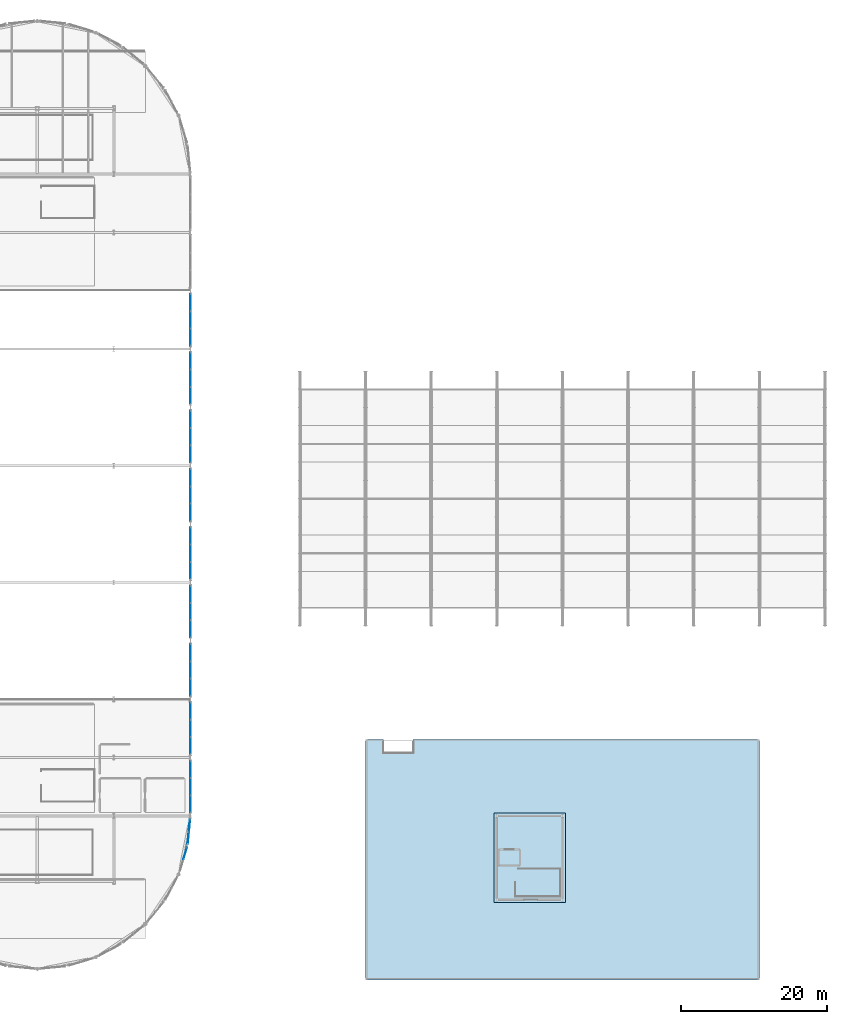
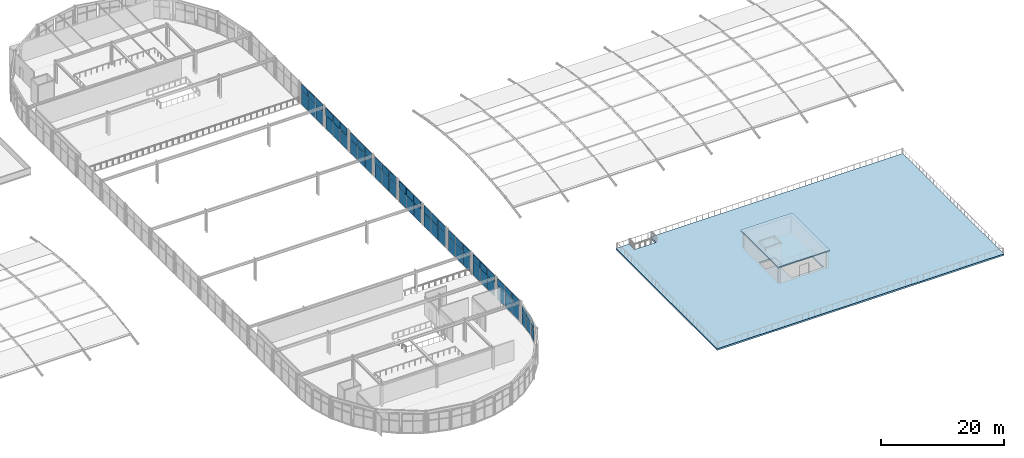
# One storey, part 56 of 105: 60 plates, 2 slabs, 11 elements without a shape of their own.
"""IFC4 building model written with IfcOpenShell, lengths in metres."""

from ifc_helpers import new_model, si_unit, direction, frame, origin, origin_2d, place, context, subcontext, project, spatial, polyline, rectangle, outline, extrude, material, layer, layer_set, type_object, element, aggregate, save


model = new_model("IFC4")

# Units and contexts
model_context = context("Model", 3, precision=1e-05, world=origin(), true_north=direction((0.0, 1.0)))
body_context = subcontext(model_context, "Body", "Model", "MODEL_VIEW")
ifc_project = project(units=[si_unit("LENGTHUNIT", "METRE"), si_unit("AREAUNIT", "SQUARE_METRE"), si_unit("VOLUMEUNIT", "CUBIC_METRE"), si_unit("PLANEANGLEUNIT", "RADIAN"), si_unit("MASSUNIT", "GRAM", prefix="KILO")], contexts=[model_context])

# Site, building, storey
site_placement = place(None, origin())
site = spatial("IfcSite", under=ifc_project, at=site_placement, CompositionType="ELEMENT")
building_placement = place(site_placement, origin())
building = spatial("IfcBuilding", under=site, at=building_placement, Name="Marlcrest Central Station", CompositionType="ELEMENT")
storey_placement = place(building_placement, frame((0.0, 0.0, 15.0)))
storey = spatial("IfcBuildingStorey", under=building, at=storey_placement, Name="L03", CompositionType="ELEMENT", Elevation=15.0)

# Curtain wall, plate
ifc_material_1 = material(Name="Anodised aluminium and hurricane laminated glass", Category="aluminium")
ifc_layer_1 = layer(ifc_material_1, 0.219970703125, Name="CW-U1")
ifc_layer_set_1 = layer_set([ifc_layer_1], Name="Anodised aluminium and hurricane laminated glass")
curtain_wall_type = type_object("IfcCurtainWallType", Name="CW-U1", PredefinedType="USERDEFINED", material=ifc_layer_set_1)
curtain_wall_1_placement = place(storey_placement, origin())
curtain_wall_1 = element("IfcCurtainWall", 1, at=curtain_wall_1_placement, inside=storey, type_object=curtain_wall_type, Name="cw-L03-0055", ObjectType="UNITISED_CURTAIN_WALL", PredefinedType="USERDEFINED")
ifc_material_2 = material(Name="Hurricane laminated solar-control glass", Category="glass")
ifc_layer_2 = layer(ifc_material_2, 0.031982421875, Name="CP-01")
ifc_layer_set_2 = layer_set([ifc_layer_2], Name="Hurricane laminated solar-control glass")
plate_type_1 = type_object("IfcPlateType", Name="CP-01", PredefinedType="CURTAIN_PANEL", material=ifc_layer_set_2)
plate_1_placement = place(storey_placement, frame((128.28173828125, 17.3671875, 0.079833984375), z_axis=(0.0, 0.0, 1.0), x_axis=(-0.290318080597, -0.956930202302, 0.0)))
plate_1 = element("IfcPlate", 2, at=plate_1_placement, type_object=plate_type_1, Name="cw-L03-0055-cp-lo-0", PredefinedType="CURTAIN_PANEL", context=body_context, shape_type="SweptSolid", body=[
    extrude(rectangle(XDim=1.67724609375, YDim=0.031982421875, at=origin_2d()), origin(), (0.0, 0.0, 1.0), 2.35009765625),
])

# Curtain wall, plates
curtain_wall_2_placement = place(storey_placement, origin())
curtain_wall_2 = element("IfcCurtainWall", 3, at=curtain_wall_2_placement, inside=storey, type_object=curtain_wall_type, Name="cw-L03-0056", ObjectType="UNITISED_CURTAIN_WALL", PredefinedType="USERDEFINED")
plate_2_placement = place(storey_placement, frame((128.8671875, 21.153076171875, 0.079833984375), z_axis=(0.0, 0.0, 1.0), x_axis=(-0.098138724349, -0.995172744192, 0.0)))
plate_2 = element("IfcPlate", 4, at=plate_2_placement, type_object=plate_type_1, Name="cw-L03-0056-cp-lo-0", PredefinedType="CURTAIN_PANEL", context=body_context, shape_type="SweptSolid", body=[
    extrude(rectangle(XDim=1.629150390625, YDim=0.031982421875, at=origin_2d()), origin(), (0.0, 0.0, 1.0), 2.35009765625),
])
plate_3_placement = place(storey_placement, frame((128.699951171875, 19.456298828125, 0.079833984375), z_axis=(0.0, 0.0, 1.0), x_axis=(-0.098138724349, -0.995172744192, 0.0)))
plate_3 = element("IfcPlate", 5, at=plate_3_placement, type_object=plate_type_1, Name="cw-L03-0056-cp-lo-1", PredefinedType="CURTAIN_PANEL", context=body_context, shape_type="SweptSolid", body=[
    extrude(rectangle(XDim=1.629150390625, YDim=0.031982421875, at=origin_2d()), origin(), (0.0, 0.0, 1.0), 2.35009765625),
])

curtain_wall_3_placement = place(storey_placement, origin())
curtain_wall_3 = element("IfcCurtainWall", 6, at=curtain_wall_3_placement, inside=storey, type_object=curtain_wall_type, Name="cw-L03-0102", ObjectType="UNITISED_CURTAIN_WALL", PredefinedType="USERDEFINED")
plate_4_placement = place(storey_placement, frame((129.0, 28.86669921875, 0.080078125), z_axis=(0.0, 0.0, 1.0), x_axis=(0.0, -1.0, 0.0)))
plate_4 = element("IfcPlate", 7, at=plate_4_placement, type_object=plate_type_1, Name="cw-L03-0102-cp-lo-0", PredefinedType="CURTAIN_PANEL", context=body_context, shape_type="SweptSolid", body=[
    extrude(rectangle(XDim=2.290771484375, YDim=0.031982421875, at=origin_2d()), origin(), (0.0, 0.0, 1.0), 2.7080078125),
])
plate_5_placement = place(storey_placement, frame((129.0, 26.5, 0.080078125), z_axis=(0.0, 0.0, 1.0), x_axis=(0.0, -1.0, 0.0)))
plate_5 = element("IfcPlate", 8, at=plate_5_placement, type_object=plate_type_1, Name="cw-L03-0102-cp-lo-1", PredefinedType="CURTAIN_PANEL", context=body_context, shape_type="SweptSolid", body=[
    extrude(rectangle(XDim=2.290771484375, YDim=0.031982421875, at=origin_2d()), origin(), (0.0, 0.0, 1.0), 2.7080078125),
])
plate_6_placement = place(storey_placement, frame((129.0, 24.13330078125, 0.080078125), z_axis=(0.0, 0.0, 1.0), x_axis=(0.0, -1.0, 0.0)))
plate_6 = element("IfcPlate", 9, at=plate_6_placement, type_object=plate_type_1, Name="cw-L03-0102-cp-lo-2", PredefinedType="CURTAIN_PANEL", context=body_context, shape_type="SweptSolid", body=[
    extrude(rectangle(XDim=2.290771484375, YDim=0.031982421875, at=origin_2d()), origin(), (0.0, 0.0, 1.0), 2.7080078125),
])

curtain_wall_4_placement = place(storey_placement, origin())
curtain_wall_4 = element("IfcCurtainWall", 10, at=curtain_wall_4_placement, inside=storey, type_object=curtain_wall_type, Name="cw-L03-0106", ObjectType="UNITISED_CURTAIN_WALL", PredefinedType="USERDEFINED")
plate_7_placement = place(storey_placement, frame((129.0, 36.86669921875, 0.080078125), z_axis=(0.0, 0.0, 1.0), x_axis=(0.0, -1.0, 0.0)))
plate_7 = element("IfcPlate", 11, at=plate_7_placement, type_object=plate_type_1, Name="cw-L03-0106-cp-lo-0", PredefinedType="CURTAIN_PANEL", context=body_context, shape_type="SweptSolid", body=[
    extrude(rectangle(XDim=2.290771484375, YDim=0.031982421875, at=origin_2d()), origin(), (0.0, 0.0, 1.0), 2.7080078125),
])
plate_8_placement = place(storey_placement, frame((129.0, 34.5, 0.080078125), z_axis=(0.0, 0.0, 1.0), x_axis=(0.0, -1.0, 0.0)))
plate_8 = element("IfcPlate", 12, at=plate_8_placement, type_object=plate_type_1, Name="cw-L03-0106-cp-lo-1", PredefinedType="CURTAIN_PANEL", context=body_context, shape_type="SweptSolid", body=[
    extrude(rectangle(XDim=2.290771484375, YDim=0.031982421875, at=origin_2d()), origin(), (0.0, 0.0, 1.0), 2.7080078125),
])
plate_9_placement = place(storey_placement, frame((129.0, 32.13330078125, 0.080078125), z_axis=(0.0, 0.0, 1.0), x_axis=(0.0, -1.0, 0.0)))
plate_9 = element("IfcPlate", 13, at=plate_9_placement, type_object=plate_type_1, Name="cw-L03-0106-cp-lo-2", PredefinedType="CURTAIN_PANEL", context=body_context, shape_type="SweptSolid", body=[
    extrude(rectangle(XDim=2.290771484375, YDim=0.031982421875, at=origin_2d()), origin(), (0.0, 0.0, 1.0), 2.7080078125),
])

curtain_wall_5_placement = place(storey_placement, origin())
curtain_wall_5 = element("IfcCurtainWall", 14, at=curtain_wall_5_placement, inside=storey, type_object=curtain_wall_type, Name="cw-L03-0110", ObjectType="UNITISED_CURTAIN_WALL", PredefinedType="USERDEFINED")
plate_10_placement = place(storey_placement, frame((129.0, 44.86669921875, 0.080078125), z_axis=(0.0, 0.0, 1.0), x_axis=(0.0, -1.0, 0.0)))
plate_10 = element("IfcPlate", 15, at=plate_10_placement, type_object=plate_type_1, Name="cw-L03-0110-cp-lo-0", PredefinedType="CURTAIN_PANEL", context=body_context, shape_type="SweptSolid", body=[
    extrude(rectangle(XDim=2.290771484375, YDim=0.031982421875, at=origin_2d()), origin(), (0.0, 0.0, 1.0), 2.7080078125),
])
plate_11_placement = place(storey_placement, frame((129.0, 42.5, 0.080078125), z_axis=(0.0, 0.0, 1.0), x_axis=(0.0, -1.0, 0.0)))
plate_11 = element("IfcPlate", 16, at=plate_11_placement, type_object=plate_type_1, Name="cw-L03-0110-cp-lo-1", PredefinedType="CURTAIN_PANEL", context=body_context, shape_type="SweptSolid", body=[
    extrude(rectangle(XDim=2.290771484375, YDim=0.031982421875, at=origin_2d()), origin(), (0.0, 0.0, 1.0), 2.7080078125),
])
plate_12_placement = place(storey_placement, frame((129.0, 40.13330078125, 0.080078125), z_axis=(0.0, 0.0, 1.0), x_axis=(0.0, -1.0, 0.0)))
plate_12 = element("IfcPlate", 17, at=plate_12_placement, type_object=plate_type_1, Name="cw-L03-0110-cp-lo-2", PredefinedType="CURTAIN_PANEL", context=body_context, shape_type="SweptSolid", body=[
    extrude(rectangle(XDim=2.290771484375, YDim=0.031982421875, at=origin_2d()), origin(), (0.0, 0.0, 1.0), 2.7080078125),
])

curtain_wall_6_placement = place(storey_placement, origin())
curtain_wall_6 = element("IfcCurtainWall", 18, at=curtain_wall_6_placement, inside=storey, type_object=curtain_wall_type, Name="cw-L03-0114", ObjectType="UNITISED_CURTAIN_WALL", PredefinedType="USERDEFINED")
plate_13_placement = place(storey_placement, frame((129.0, 52.86669921875, 0.080078125), z_axis=(0.0, 0.0, 1.0), x_axis=(0.0, -1.0, 0.0)))
plate_13 = element("IfcPlate", 19, at=plate_13_placement, type_object=plate_type_1, Name="cw-L03-0114-cp-lo-0", PredefinedType="CURTAIN_PANEL", context=body_context, shape_type="SweptSolid", body=[
    extrude(rectangle(XDim=2.290771484375, YDim=0.031982421875, at=origin_2d()), origin(), (0.0, 0.0, 1.0), 2.7080078125),
])
plate_14_placement = place(storey_placement, frame((129.0, 50.5, 0.080078125), z_axis=(0.0, 0.0, 1.0), x_axis=(0.0, -1.0, 0.0)))
plate_14 = element("IfcPlate", 20, at=plate_14_placement, type_object=plate_type_1, Name="cw-L03-0114-cp-lo-1", PredefinedType="CURTAIN_PANEL", context=body_context, shape_type="SweptSolid", body=[
    extrude(rectangle(XDim=2.290771484375, YDim=0.031982421875, at=origin_2d()), origin(), (0.0, 0.0, 1.0), 2.7080078125),
])
plate_15_placement = place(storey_placement, frame((129.0, 48.13330078125, 0.080078125), z_axis=(0.0, 0.0, 1.0), x_axis=(0.0, -1.0, 0.0)))
plate_15 = element("IfcPlate", 21, at=plate_15_placement, type_object=plate_type_1, Name="cw-L03-0114-cp-lo-2", PredefinedType="CURTAIN_PANEL", context=body_context, shape_type="SweptSolid", body=[
    extrude(rectangle(XDim=2.290771484375, YDim=0.031982421875, at=origin_2d()), origin(), (0.0, 0.0, 1.0), 2.7080078125),
])

curtain_wall_7_placement = place(storey_placement, origin())
curtain_wall_7 = element("IfcCurtainWall", 22, at=curtain_wall_7_placement, inside=storey, type_object=curtain_wall_type, Name="cw-L03-0118", ObjectType="UNITISED_CURTAIN_WALL", PredefinedType="USERDEFINED")
plate_16_placement = place(storey_placement, frame((129.0, 60.86669921875, 0.080078125), z_axis=(0.0, 0.0, 1.0), x_axis=(0.0, -1.0, 0.0)))
plate_16 = element("IfcPlate", 23, at=plate_16_placement, type_object=plate_type_1, Name="cw-L03-0118-cp-lo-0", PredefinedType="CURTAIN_PANEL", context=body_context, shape_type="SweptSolid", body=[
    extrude(rectangle(XDim=2.290771484375, YDim=0.031982421875, at=origin_2d()), origin(), (0.0, 0.0, 1.0), 2.7080078125),
])
plate_17_placement = place(storey_placement, frame((129.0, 58.5, 0.080078125), z_axis=(0.0, 0.0, 1.0), x_axis=(0.0, -1.0, 0.0)))
plate_17 = element("IfcPlate", 24, at=plate_17_placement, type_object=plate_type_1, Name="cw-L03-0118-cp-lo-1", PredefinedType="CURTAIN_PANEL", context=body_context, shape_type="SweptSolid", body=[
    extrude(rectangle(XDim=2.290771484375, YDim=0.031982421875, at=origin_2d()), origin(), (0.0, 0.0, 1.0), 2.7080078125),
])
plate_18_placement = place(storey_placement, frame((129.0, 56.13330078125, 0.080078125), z_axis=(0.0, 0.0, 1.0), x_axis=(0.0, -1.0, 0.0)))
plate_18 = element("IfcPlate", 25, at=plate_18_placement, type_object=plate_type_1, Name="cw-L03-0118-cp-lo-2", PredefinedType="CURTAIN_PANEL", context=body_context, shape_type="SweptSolid", body=[
    extrude(rectangle(XDim=2.290771484375, YDim=0.031982421875, at=origin_2d()), origin(), (0.0, 0.0, 1.0), 2.7080078125),
])

curtain_wall_8_placement = place(storey_placement, origin())
curtain_wall_8 = element("IfcCurtainWall", 26, at=curtain_wall_8_placement, inside=storey, type_object=curtain_wall_type, Name="cw-L03-0122", ObjectType="UNITISED_CURTAIN_WALL", PredefinedType="USERDEFINED")
plate_19_placement = place(storey_placement, frame((129.0, 68.86669921875, 0.080078125), z_axis=(0.0, 0.0, 1.0), x_axis=(0.0, -1.0, 0.0)))
plate_19 = element("IfcPlate", 27, at=plate_19_placement, type_object=plate_type_1, Name="cw-L03-0122-cp-lo-0", PredefinedType="CURTAIN_PANEL", context=body_context, shape_type="SweptSolid", body=[
    extrude(rectangle(XDim=2.290771484375, YDim=0.031982421875, at=origin_2d()), origin(), (0.0, 0.0, 1.0), 2.7080078125),
])
plate_20_placement = place(storey_placement, frame((129.0, 66.5, 0.080078125), z_axis=(0.0, 0.0, 1.0), x_axis=(0.0, -1.0, 0.0)))
plate_20 = element("IfcPlate", 28, at=plate_20_placement, type_object=plate_type_1, Name="cw-L03-0122-cp-lo-1", PredefinedType="CURTAIN_PANEL", context=body_context, shape_type="SweptSolid", body=[
    extrude(rectangle(XDim=2.290771484375, YDim=0.031982421875, at=origin_2d()), origin(), (0.0, 0.0, 1.0), 2.7080078125),
])
plate_21_placement = place(storey_placement, frame((129.0, 64.13330078125, 0.080078125), z_axis=(0.0, 0.0, 1.0), x_axis=(0.0, -1.0, 0.0)))
plate_21 = element("IfcPlate", 29, at=plate_21_placement, type_object=plate_type_1, Name="cw-L03-0122-cp-lo-2", PredefinedType="CURTAIN_PANEL", context=body_context, shape_type="SweptSolid", body=[
    extrude(rectangle(XDim=2.290771484375, YDim=0.031982421875, at=origin_2d()), origin(), (0.0, 0.0, 1.0), 2.7080078125),
])

curtain_wall_9_placement = place(storey_placement, origin())
curtain_wall_9 = element("IfcCurtainWall", 30, at=curtain_wall_9_placement, inside=storey, type_object=curtain_wall_type, Name="cw-L03-0126", ObjectType="UNITISED_CURTAIN_WALL", PredefinedType="USERDEFINED")
plate_22_placement = place(storey_placement, frame((129.0, 76.86669921875, 0.080078125), z_axis=(0.0, 0.0, 1.0), x_axis=(0.0, -1.0, 0.0)))
plate_22 = element("IfcPlate", 31, at=plate_22_placement, type_object=plate_type_1, Name="cw-L03-0126-cp-lo-0", PredefinedType="CURTAIN_PANEL", context=body_context, shape_type="SweptSolid", body=[
    extrude(rectangle(XDim=2.290771484375, YDim=0.031982421875, at=origin_2d()), origin(), (0.0, 0.0, 1.0), 2.7080078125),
])
plate_23_placement = place(storey_placement, frame((129.0, 74.5, 0.080078125), z_axis=(0.0, 0.0, 1.0), x_axis=(0.0, -1.0, 0.0)))
plate_23 = element("IfcPlate", 32, at=plate_23_placement, type_object=plate_type_1, Name="cw-L03-0126-cp-lo-1", PredefinedType="CURTAIN_PANEL", context=body_context, shape_type="SweptSolid", body=[
    extrude(rectangle(XDim=2.290771484375, YDim=0.031982421875, at=origin_2d()), origin(), (0.0, 0.0, 1.0), 2.7080078125),
])
plate_24_placement = place(storey_placement, frame((129.0, 72.13330078125, 0.080078125), z_axis=(0.0, 0.0, 1.0), x_axis=(0.0, -1.0, 0.0)))
plate_24 = element("IfcPlate", 33, at=plate_24_placement, type_object=plate_type_1, Name="cw-L03-0126-cp-lo-2", PredefinedType="CURTAIN_PANEL", context=body_context, shape_type="SweptSolid", body=[
    extrude(rectangle(XDim=2.290771484375, YDim=0.031982421875, at=origin_2d()), origin(), (0.0, 0.0, 1.0), 2.7080078125),
])

curtain_wall_10_placement = place(storey_placement, origin())
curtain_wall_10 = element("IfcCurtainWall", 34, at=curtain_wall_10_placement, inside=storey, type_object=curtain_wall_type, Name="cw-L03-0130", ObjectType="UNITISED_CURTAIN_WALL", PredefinedType="USERDEFINED")
plate_25_placement = place(storey_placement, frame((129.0, 84.86669921875, 0.080078125), z_axis=(0.0, 0.0, 1.0), x_axis=(0.0, -1.0, 0.0)))
plate_25 = element("IfcPlate", 35, at=plate_25_placement, type_object=plate_type_1, Name="cw-L03-0130-cp-lo-0", PredefinedType="CURTAIN_PANEL", context=body_context, shape_type="SweptSolid", body=[
    extrude(rectangle(XDim=2.290771484375, YDim=0.031982421875, at=origin_2d()), origin(), (0.0, 0.0, 1.0), 2.7080078125),
])
plate_26_placement = place(storey_placement, frame((129.0, 82.5, 0.080078125), z_axis=(0.0, 0.0, 1.0), x_axis=(0.0, -1.0, 0.0)))
plate_26 = element("IfcPlate", 36, at=plate_26_placement, type_object=plate_type_1, Name="cw-L03-0130-cp-lo-1", PredefinedType="CURTAIN_PANEL", context=body_context, shape_type="SweptSolid", body=[
    extrude(rectangle(XDim=2.290771484375, YDim=0.031982421875, at=origin_2d()), origin(), (0.0, 0.0, 1.0), 2.7080078125),
])
plate_27_placement = place(storey_placement, frame((129.0, 80.13330078125, 0.080078125), z_axis=(0.0, 0.0, 1.0), x_axis=(0.0, -1.0, 0.0)))
plate_27 = element("IfcPlate", 37, at=plate_27_placement, type_object=plate_type_1, Name="cw-L03-0130-cp-lo-2", PredefinedType="CURTAIN_PANEL", context=body_context, shape_type="SweptSolid", body=[
    extrude(rectangle(XDim=2.290771484375, YDim=0.031982421875, at=origin_2d()), origin(), (0.0, 0.0, 1.0), 2.7080078125),
])

curtain_wall_11_placement = place(storey_placement, origin())
curtain_wall_11 = element("IfcCurtainWall", 38, at=curtain_wall_11_placement, inside=storey, type_object=curtain_wall_type, Name="cw-L03-0134", ObjectType="UNITISED_CURTAIN_WALL", PredefinedType="USERDEFINED")
plate_28_placement = place(storey_placement, frame((129.0, 92.86669921875, 0.080078125), z_axis=(0.0, 0.0, 1.0), x_axis=(0.0, -1.0, 0.0)))
plate_28 = element("IfcPlate", 39, at=plate_28_placement, type_object=plate_type_1, Name="cw-L03-0134-cp-lo-0", PredefinedType="CURTAIN_PANEL", context=body_context, shape_type="SweptSolid", body=[
    extrude(rectangle(XDim=2.290771484375, YDim=0.031982421875, at=origin_2d()), origin(), (0.0, 0.0, 1.0), 2.7080078125),
])
plate_29_placement = place(storey_placement, frame((129.0, 90.5, 0.080078125), z_axis=(0.0, 0.0, 1.0), x_axis=(0.0, -1.0, 0.0)))
plate_29 = element("IfcPlate", 40, at=plate_29_placement, type_object=plate_type_1, Name="cw-L03-0134-cp-lo-1", PredefinedType="CURTAIN_PANEL", context=body_context, shape_type="SweptSolid", body=[
    extrude(rectangle(XDim=2.290771484375, YDim=0.031982421875, at=origin_2d()), origin(), (0.0, 0.0, 1.0), 2.7080078125),
])
plate_30_placement = place(storey_placement, frame((129.0, 88.13330078125, 0.080078125), z_axis=(0.0, 0.0, 1.0), x_axis=(0.0, -1.0, 0.0)))
plate_30 = element("IfcPlate", 41, at=plate_30_placement, type_object=plate_type_1, Name="cw-L03-0134-cp-lo-2", PredefinedType="CURTAIN_PANEL", context=body_context, shape_type="SweptSolid", body=[
    extrude(rectangle(XDim=2.290771484375, YDim=0.031982421875, at=origin_2d()), origin(), (0.0, 0.0, 1.0), 2.7080078125),
])

# Plate
ifc_material_3 = material(Name="Insulated bronze-anodised aluminium spandrel panel", Category="aluminium")
ifc_layer_3 = layer(ifc_material_3, 0.06005859375, Name="CP-04")
ifc_layer_set_3 = layer_set([ifc_layer_3], Name="Insulated bronze-anodised aluminium spandrel panel")
plate_type_2 = type_object("IfcPlateType", Name="CP-04", PredefinedType="CURTAIN_PANEL", material=ifc_layer_set_3)
plate_31_placement = place(storey_placement, frame((129.0, 28.86669921875, 2.8681640625), z_axis=(0.0, 0.0, 1.0), x_axis=(0.0, -1.0, 0.0)))
plate_31 = element("IfcPlate", 42, at=plate_31_placement, type_object=plate_type_2, Name="cw-L03-0102-cp-hi-0", PredefinedType="CURTAIN_PANEL", context=body_context, shape_type="SweptSolid", body=[
    extrude(rectangle(XDim=2.290771484375, YDim=0.06005859375, at=origin_2d()), origin(), (0.0, 0.0, 1.0), 1.402099609375),
])

plate_32_placement = place(storey_placement, frame((129.0, 26.5, 2.8681640625), z_axis=(0.0, 0.0, 1.0), x_axis=(0.0, -1.0, 0.0)))
plate_32 = element("IfcPlate", 43, at=plate_32_placement, type_object=plate_type_2, Name="cw-L03-0102-cp-hi-1", PredefinedType="CURTAIN_PANEL", context=body_context, shape_type="SweptSolid", body=[
    extrude(rectangle(XDim=2.290771484375, YDim=0.06005859375, at=origin_2d()), origin(), (0.0, 0.0, 1.0), 1.402099609375),
])

plate_33_placement = place(storey_placement, frame((129.0, 24.13330078125, 2.8681640625), z_axis=(0.0, 0.0, 1.0), x_axis=(0.0, -1.0, 0.0)))
plate_33 = element("IfcPlate", 44, at=plate_33_placement, type_object=plate_type_2, Name="cw-L03-0102-cp-hi-2", PredefinedType="CURTAIN_PANEL", context=body_context, shape_type="SweptSolid", body=[
    extrude(rectangle(XDim=2.290771484375, YDim=0.06005859375, at=origin_2d()), origin(), (0.0, 0.0, 1.0), 1.402099609375),
])

aggregate(curtain_wall_3, [plate_4, plate_31, plate_5, plate_32, plate_6, plate_33])

plate_34_placement = place(storey_placement, frame((129.0, 52.86669921875, 2.8681640625), z_axis=(0.0, 0.0, 1.0), x_axis=(0.0, -1.0, 0.0)))
plate_34 = element("IfcPlate", 45, at=plate_34_placement, type_object=plate_type_2, Name="cw-L03-0114-cp-hi-0", PredefinedType="CURTAIN_PANEL", context=body_context, shape_type="SweptSolid", body=[
    extrude(rectangle(XDim=2.290771484375, YDim=0.06005859375, at=origin_2d()), origin(), (0.0, 0.0, 1.0), 1.402099609375),
])

plate_35_placement = place(storey_placement, frame((129.0, 50.5, 2.8681640625), z_axis=(0.0, 0.0, 1.0), x_axis=(0.0, -1.0, 0.0)))
plate_35 = element("IfcPlate", 46, at=plate_35_placement, type_object=plate_type_2, Name="cw-L03-0114-cp-hi-1", PredefinedType="CURTAIN_PANEL", context=body_context, shape_type="SweptSolid", body=[
    extrude(rectangle(XDim=2.290771484375, YDim=0.06005859375, at=origin_2d()), origin(), (0.0, 0.0, 1.0), 1.402099609375),
])

plate_36_placement = place(storey_placement, frame((129.0, 48.13330078125, 2.8681640625), z_axis=(0.0, 0.0, 1.0), x_axis=(0.0, -1.0, 0.0)))
plate_36 = element("IfcPlate", 47, at=plate_36_placement, type_object=plate_type_2, Name="cw-L03-0114-cp-hi-2", PredefinedType="CURTAIN_PANEL", context=body_context, shape_type="SweptSolid", body=[
    extrude(rectangle(XDim=2.290771484375, YDim=0.06005859375, at=origin_2d()), origin(), (0.0, 0.0, 1.0), 1.402099609375),
])

aggregate(curtain_wall_6, [plate_13, plate_34, plate_14, plate_35, plate_15, plate_36])

plate_37_placement = place(storey_placement, frame((129.0, 76.86669921875, 2.8681640625), z_axis=(0.0, 0.0, 1.0), x_axis=(0.0, -1.0, 0.0)))
plate_37 = element("IfcPlate", 48, at=plate_37_placement, type_object=plate_type_2, Name="cw-L03-0126-cp-hi-0", PredefinedType="CURTAIN_PANEL", context=body_context, shape_type="SweptSolid", body=[
    extrude(rectangle(XDim=2.290771484375, YDim=0.06005859375, at=origin_2d()), origin(), (0.0, 0.0, 1.0), 1.402099609375),
])

plate_38_placement = place(storey_placement, frame((129.0, 74.5, 2.8681640625), z_axis=(0.0, 0.0, 1.0), x_axis=(0.0, -1.0, 0.0)))
plate_38 = element("IfcPlate", 49, at=plate_38_placement, type_object=plate_type_2, Name="cw-L03-0126-cp-hi-1", PredefinedType="CURTAIN_PANEL", context=body_context, shape_type="SweptSolid", body=[
    extrude(rectangle(XDim=2.290771484375, YDim=0.06005859375, at=origin_2d()), origin(), (0.0, 0.0, 1.0), 1.402099609375),
])

plate_39_placement = place(storey_placement, frame((129.0, 72.13330078125, 2.8681640625), z_axis=(0.0, 0.0, 1.0), x_axis=(0.0, -1.0, 0.0)))
plate_39 = element("IfcPlate", 50, at=plate_39_placement, type_object=plate_type_2, Name="cw-L03-0126-cp-hi-2", PredefinedType="CURTAIN_PANEL", context=body_context, shape_type="SweptSolid", body=[
    extrude(rectangle(XDim=2.290771484375, YDim=0.06005859375, at=origin_2d()), origin(), (0.0, 0.0, 1.0), 1.402099609375),
])

aggregate(curtain_wall_9, [plate_22, plate_37, plate_23, plate_38, plate_24, plate_39])

ifc_layer_4 = layer(ifc_material_3, 0.050048828125, Name="CP-05")
ifc_layer_set_4 = layer_set([ifc_layer_4], Name="Insulated bronze-anodised aluminium spandrel panel")
plate_type_3 = type_object("IfcPlateType", Name="CP-05", PredefinedType="CURTAIN_PANEL", material=ifc_layer_set_4)
plate_40_placement = place(storey_placement, frame((128.28173828125, 17.3671875, 2.510009765625), z_axis=(0.0, 0.0, 1.0), x_axis=(-0.290318080597, -0.956930202302, 0.0)))
plate_40 = element("IfcPlate", 51, at=plate_40_placement, type_object=plate_type_3, Name="cw-L03-0055-cp-hi-0", PredefinedType="CURTAIN_PANEL", context=body_context, shape_type="SweptSolid", body=[
    extrude(rectangle(XDim=1.67724609375, YDim=0.050048828125, at=origin_2d()), origin(), (0.0, 0.0, 1.0), 1.2099609375),
])

aggregate(curtain_wall_1, [plate_1, plate_40])

ifc_material_4 = material(Name="Insulated acoustic spandrel panel")
ifc_layer_5 = layer(ifc_material_4, 0.074951171875, Name="CP-06")
ifc_layer_set_5 = layer_set([ifc_layer_5], Name="Insulated acoustic spandrel panel")
plate_type_4 = type_object("IfcPlateType", Name="CP-06", PredefinedType="CURTAIN_PANEL", material=ifc_layer_set_5)
plate_41_placement = place(storey_placement, frame((128.8671875, 21.153076171875, 2.510009765625), z_axis=(0.0, 0.0, 1.0), x_axis=(-0.098138724349, -0.995172744192, 0.0)))
plate_41 = element("IfcPlate", 52, at=plate_41_placement, type_object=plate_type_4, Name="cw-L03-0056-cp-hi-0", PredefinedType="CURTAIN_PANEL", context=body_context, shape_type="SweptSolid", body=[
    extrude(rectangle(XDim=1.629150390625, YDim=0.074951171875, at=origin_2d()), origin(), (0.0, 0.0, 1.0), 1.2099609375),
])

plate_42_placement = place(storey_placement, frame((128.699951171875, 19.456298828125, 2.510009765625), z_axis=(0.0, 0.0, 1.0), x_axis=(-0.098138724349, -0.995172744192, 0.0)))
plate_42 = element("IfcPlate", 53, at=plate_42_placement, type_object=plate_type_4, Name="cw-L03-0056-cp-hi-1", PredefinedType="CURTAIN_PANEL", context=body_context, shape_type="SweptSolid", body=[
    extrude(rectangle(XDim=1.629150390625, YDim=0.074951171875, at=origin_2d()), origin(), (0.0, 0.0, 1.0), 1.2099609375),
])

aggregate(curtain_wall_2, [plate_2, plate_41, plate_3, plate_42])

plate_43_placement = place(storey_placement, frame((129.0, 44.86669921875, 2.8681640625), z_axis=(0.0, 0.0, 1.0), x_axis=(0.0, -1.0, 0.0)))
plate_43 = element("IfcPlate", 54, at=plate_43_placement, type_object=plate_type_4, Name="cw-L03-0110-cp-hi-0", PredefinedType="CURTAIN_PANEL", context=body_context, shape_type="SweptSolid", body=[
    extrude(rectangle(XDim=2.290771484375, YDim=0.074951171875, at=origin_2d()), origin(), (0.0, 0.0, 1.0), 1.402099609375),
])

plate_44_placement = place(storey_placement, frame((129.0, 42.5, 2.8681640625), z_axis=(0.0, 0.0, 1.0), x_axis=(0.0, -1.0, 0.0)))
plate_44 = element("IfcPlate", 55, at=plate_44_placement, type_object=plate_type_4, Name="cw-L03-0110-cp-hi-1", PredefinedType="CURTAIN_PANEL", context=body_context, shape_type="SweptSolid", body=[
    extrude(rectangle(XDim=2.290771484375, YDim=0.074951171875, at=origin_2d()), origin(), (0.0, 0.0, 1.0), 1.402099609375),
])

plate_45_placement = place(storey_placement, frame((129.0, 40.13330078125, 2.8681640625), z_axis=(0.0, 0.0, 1.0), x_axis=(0.0, -1.0, 0.0)))
plate_45 = element("IfcPlate", 56, at=plate_45_placement, type_object=plate_type_4, Name="cw-L03-0110-cp-hi-2", PredefinedType="CURTAIN_PANEL", context=body_context, shape_type="SweptSolid", body=[
    extrude(rectangle(XDim=2.290771484375, YDim=0.074951171875, at=origin_2d()), origin(), (0.0, 0.0, 1.0), 1.402099609375),
])

aggregate(curtain_wall_5, [plate_10, plate_43, plate_11, plate_44, plate_12, plate_45])

plate_46_placement = place(storey_placement, frame((129.0, 68.86669921875, 2.8681640625), z_axis=(0.0, 0.0, 1.0), x_axis=(0.0, -1.0, 0.0)))
plate_46 = element("IfcPlate", 57, at=plate_46_placement, type_object=plate_type_4, Name="cw-L03-0122-cp-hi-0", PredefinedType="CURTAIN_PANEL", context=body_context, shape_type="SweptSolid", body=[
    extrude(rectangle(XDim=2.290771484375, YDim=0.074951171875, at=origin_2d()), origin(), (0.0, 0.0, 1.0), 1.402099609375),
])

plate_47_placement = place(storey_placement, frame((129.0, 66.5, 2.8681640625), z_axis=(0.0, 0.0, 1.0), x_axis=(0.0, -1.0, 0.0)))
plate_47 = element("IfcPlate", 58, at=plate_47_placement, type_object=plate_type_4, Name="cw-L03-0122-cp-hi-1", PredefinedType="CURTAIN_PANEL", context=body_context, shape_type="SweptSolid", body=[
    extrude(rectangle(XDim=2.290771484375, YDim=0.074951171875, at=origin_2d()), origin(), (0.0, 0.0, 1.0), 1.402099609375),
])

plate_48_placement = place(storey_placement, frame((129.0, 64.13330078125, 2.8681640625), z_axis=(0.0, 0.0, 1.0), x_axis=(0.0, -1.0, 0.0)))
plate_48 = element("IfcPlate", 59, at=plate_48_placement, type_object=plate_type_4, Name="cw-L03-0122-cp-hi-2", PredefinedType="CURTAIN_PANEL", context=body_context, shape_type="SweptSolid", body=[
    extrude(rectangle(XDim=2.290771484375, YDim=0.074951171875, at=origin_2d()), origin(), (0.0, 0.0, 1.0), 1.402099609375),
])

aggregate(curtain_wall_8, [plate_19, plate_46, plate_20, plate_47, plate_21, plate_48])

plate_49_placement = place(storey_placement, frame((129.0, 92.86669921875, 2.8681640625), z_axis=(0.0, 0.0, 1.0), x_axis=(0.0, -1.0, 0.0)))
plate_49 = element("IfcPlate", 60, at=plate_49_placement, type_object=plate_type_4, Name="cw-L03-0134-cp-hi-0", PredefinedType="CURTAIN_PANEL", context=body_context, shape_type="SweptSolid", body=[
    extrude(rectangle(XDim=2.290771484375, YDim=0.074951171875, at=origin_2d()), origin(), (0.0, 0.0, 1.0), 1.402099609375),
])

plate_50_placement = place(storey_placement, frame((129.0, 90.5, 2.8681640625), z_axis=(0.0, 0.0, 1.0), x_axis=(0.0, -1.0, 0.0)))
plate_50 = element("IfcPlate", 61, at=plate_50_placement, type_object=plate_type_4, Name="cw-L03-0134-cp-hi-1", PredefinedType="CURTAIN_PANEL", context=body_context, shape_type="SweptSolid", body=[
    extrude(rectangle(XDim=2.290771484375, YDim=0.074951171875, at=origin_2d()), origin(), (0.0, 0.0, 1.0), 1.402099609375),
])

plate_51_placement = place(storey_placement, frame((129.0, 88.13330078125, 2.8681640625), z_axis=(0.0, 0.0, 1.0), x_axis=(0.0, -1.0, 0.0)))
plate_51 = element("IfcPlate", 62, at=plate_51_placement, type_object=plate_type_4, Name="cw-L03-0134-cp-hi-2", PredefinedType="CURTAIN_PANEL", context=body_context, shape_type="SweptSolid", body=[
    extrude(rectangle(XDim=2.290771484375, YDim=0.074951171875, at=origin_2d()), origin(), (0.0, 0.0, 1.0), 1.402099609375),
])

aggregate(curtain_wall_11, [plate_28, plate_49, plate_29, plate_50, plate_30, plate_51])

ifc_material_5 = material(Name="Insulated shadow-box spandrel panel")
ifc_layer_6 = layer(ifc_material_5, 0.10498046875, Name="CP-08")
ifc_layer_set_6 = layer_set([ifc_layer_6], Name="Insulated shadow-box spandrel panel")
plate_type_5 = type_object("IfcPlateType", Name="CP-08", PredefinedType="CURTAIN_PANEL", material=ifc_layer_set_6)
plate_52_placement = place(storey_placement, frame((129.0, 36.86669921875, 2.8681640625), z_axis=(0.0, 0.0, 1.0), x_axis=(0.0, -1.0, 0.0)))
plate_52 = element("IfcPlate", 63, at=plate_52_placement, type_object=plate_type_5, Name="cw-L03-0106-cp-hi-0", PredefinedType="CURTAIN_PANEL", context=body_context, shape_type="SweptSolid", body=[
    extrude(rectangle(XDim=2.290771484375, YDim=0.10498046875, at=origin_2d()), origin(), (0.0, 0.0, 1.0), 1.402099609375),
])

plate_53_placement = place(storey_placement, frame((129.0, 34.5, 2.8681640625), z_axis=(0.0, 0.0, 1.0), x_axis=(0.0, -1.0, 0.0)))
plate_53 = element("IfcPlate", 64, at=plate_53_placement, type_object=plate_type_5, Name="cw-L03-0106-cp-hi-1", PredefinedType="CURTAIN_PANEL", context=body_context, shape_type="SweptSolid", body=[
    extrude(rectangle(XDim=2.290771484375, YDim=0.10498046875, at=origin_2d()), origin(), (0.0, 0.0, 1.0), 1.402099609375),
])

plate_54_placement = place(storey_placement, frame((129.0, 32.13330078125, 2.8681640625), z_axis=(0.0, 0.0, 1.0), x_axis=(0.0, -1.0, 0.0)))
plate_54 = element("IfcPlate", 65, at=plate_54_placement, type_object=plate_type_5, Name="cw-L03-0106-cp-hi-2", PredefinedType="CURTAIN_PANEL", context=body_context, shape_type="SweptSolid", body=[
    extrude(rectangle(XDim=2.290771484375, YDim=0.10498046875, at=origin_2d()), origin(), (0.0, 0.0, 1.0), 1.402099609375),
])

aggregate(curtain_wall_4, [plate_7, plate_52, plate_8, plate_53, plate_9, plate_54])

plate_55_placement = place(storey_placement, frame((129.0, 60.86669921875, 2.8681640625), z_axis=(0.0, 0.0, 1.0), x_axis=(0.0, -1.0, 0.0)))
plate_55 = element("IfcPlate", 66, at=plate_55_placement, type_object=plate_type_5, Name="cw-L03-0118-cp-hi-0", PredefinedType="CURTAIN_PANEL", context=body_context, shape_type="SweptSolid", body=[
    extrude(rectangle(XDim=2.290771484375, YDim=0.10498046875, at=origin_2d()), origin(), (0.0, 0.0, 1.0), 1.402099609375),
])

plate_56_placement = place(storey_placement, frame((129.0, 58.5, 2.8681640625), z_axis=(0.0, 0.0, 1.0), x_axis=(0.0, -1.0, 0.0)))
plate_56 = element("IfcPlate", 67, at=plate_56_placement, type_object=plate_type_5, Name="cw-L03-0118-cp-hi-1", PredefinedType="CURTAIN_PANEL", context=body_context, shape_type="SweptSolid", body=[
    extrude(rectangle(XDim=2.290771484375, YDim=0.10498046875, at=origin_2d()), origin(), (0.0, 0.0, 1.0), 1.402099609375),
])

plate_57_placement = place(storey_placement, frame((129.0, 56.13330078125, 2.8681640625), z_axis=(0.0, 0.0, 1.0), x_axis=(0.0, -1.0, 0.0)))
plate_57 = element("IfcPlate", 68, at=plate_57_placement, type_object=plate_type_5, Name="cw-L03-0118-cp-hi-2", PredefinedType="CURTAIN_PANEL", context=body_context, shape_type="SweptSolid", body=[
    extrude(rectangle(XDim=2.290771484375, YDim=0.10498046875, at=origin_2d()), origin(), (0.0, 0.0, 1.0), 1.402099609375),
])

aggregate(curtain_wall_7, [plate_16, plate_55, plate_17, plate_56, plate_18, plate_57])

plate_58_placement = place(storey_placement, frame((129.0, 84.86669921875, 2.8681640625), z_axis=(0.0, 0.0, 1.0), x_axis=(0.0, -1.0, 0.0)))
plate_58 = element("IfcPlate", 69, at=plate_58_placement, type_object=plate_type_5, Name="cw-L03-0130-cp-hi-0", PredefinedType="CURTAIN_PANEL", context=body_context, shape_type="SweptSolid", body=[
    extrude(rectangle(XDim=2.290771484375, YDim=0.10498046875, at=origin_2d()), origin(), (0.0, 0.0, 1.0), 1.402099609375),
])

plate_59_placement = place(storey_placement, frame((129.0, 82.5, 2.8681640625), z_axis=(0.0, 0.0, 1.0), x_axis=(0.0, -1.0, 0.0)))
plate_59 = element("IfcPlate", 70, at=plate_59_placement, type_object=plate_type_5, Name="cw-L03-0130-cp-hi-1", PredefinedType="CURTAIN_PANEL", context=body_context, shape_type="SweptSolid", body=[
    extrude(rectangle(XDim=2.290771484375, YDim=0.10498046875, at=origin_2d()), origin(), (0.0, 0.0, 1.0), 1.402099609375),
])

plate_60_placement = place(storey_placement, frame((129.0, 80.13330078125, 2.8681640625), z_axis=(0.0, 0.0, 1.0), x_axis=(0.0, -1.0, 0.0)))
plate_60 = element("IfcPlate", 71, at=plate_60_placement, type_object=plate_type_5, Name="cw-L03-0130-cp-hi-2", PredefinedType="CURTAIN_PANEL", context=body_context, shape_type="SweptSolid", body=[
    extrude(rectangle(XDim=2.290771484375, YDim=0.10498046875, at=origin_2d()), origin(), (0.0, 0.0, 1.0), 1.402099609375),
])

aggregate(curtain_wall_10, [plate_25, plate_58, plate_26, plate_59, plate_27, plate_60])

# Slabs
ifc_material_6 = material(Name="Concrete C40/50", Category="concrete")
ifc_layer_7 = layer(ifc_material_6, 0.219970703125, Name="RS-01")
ifc_layer_set_7 = layer_set([ifc_layer_7], Name="Concrete C40/50")
slab_type_1 = type_object("IfcSlabType", Name="RS-01", PredefinedType="ROOF", material=ifc_layer_set_7)
slab_1_placement = place(storey_placement, frame((0.0, 0.0, 3.39990234375)))
element("IfcSlab", 72, at=slab_1_placement, inside=storey, type_object=slab_type_1, Name="slab-v4-l03-pav", PredefinedType="ROOF", context=body_context, shape_type="SweptSolid", body=[
    extrude(outline(polyline([(170.60009765625, 10.60009765625), (180.39990234375, 10.60009765625), (180.39990234375, 22.89990234375), (170.60009765625, 22.89990234375), (170.60009765625, 10.60009765625)])), origin(), (0.0, 0.0, 1.0), 0.22021484375),
])
ifc_layer_8 = layer(ifc_material_6, 0.324951171875, Name="TS-01")
ifc_layer_set_8 = layer_set([ifc_layer_8], Name="Concrete C40/50")
slab_type_2 = type_object("IfcSlabType", Name="TS-01", PredefinedType="FLOOR", material=ifc_layer_set_8)
slab_2_placement = place(storey_placement, frame((0.0, 0.0, -0.324951171875)))
element("IfcSlab", 73, at=slab_2_placement, inside=storey, type_object=slab_type_2, Name="slab-L03-0017", PredefinedType="FLOOR", context=body_context, shape_type="SweptSolid", body=[
    extrude(outline(polyline([(153.0, 0.0), (207.0, 0.0), (207.0, 33.0), (159.5, 33.0), (159.5, 31.199951171875), (155.5, 31.199951171875), (155.5, 33.0), (153.0, 33.0), (153.0, 0.0)]), holes=[polyline([(173.60009765625, 11.5), (179.64990234375, 11.5), (179.64990234375, 15.199951171875), (173.60009765625, 15.199951171875), (173.60009765625, 11.5)]), polyline([(171.219970703125, 15.719970703125), (174.179931640625, 15.719970703125), (174.179931640625, 17.8798828125), (171.219970703125, 17.8798828125), (171.219970703125, 15.719970703125)])]), origin(), (0.0, 0.0, 1.0), 0.324951171875),
])

save(model, "model.ifc")
